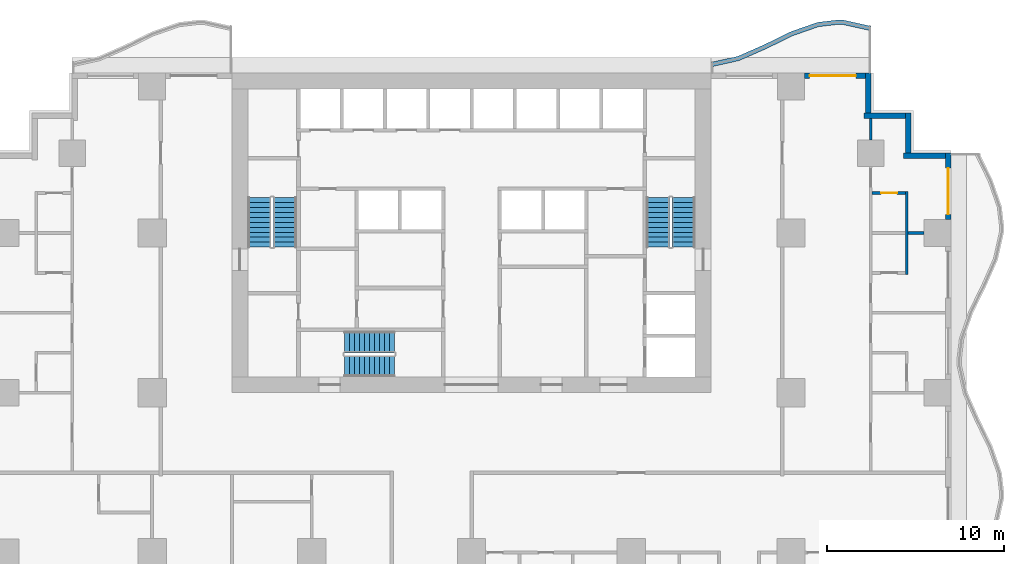
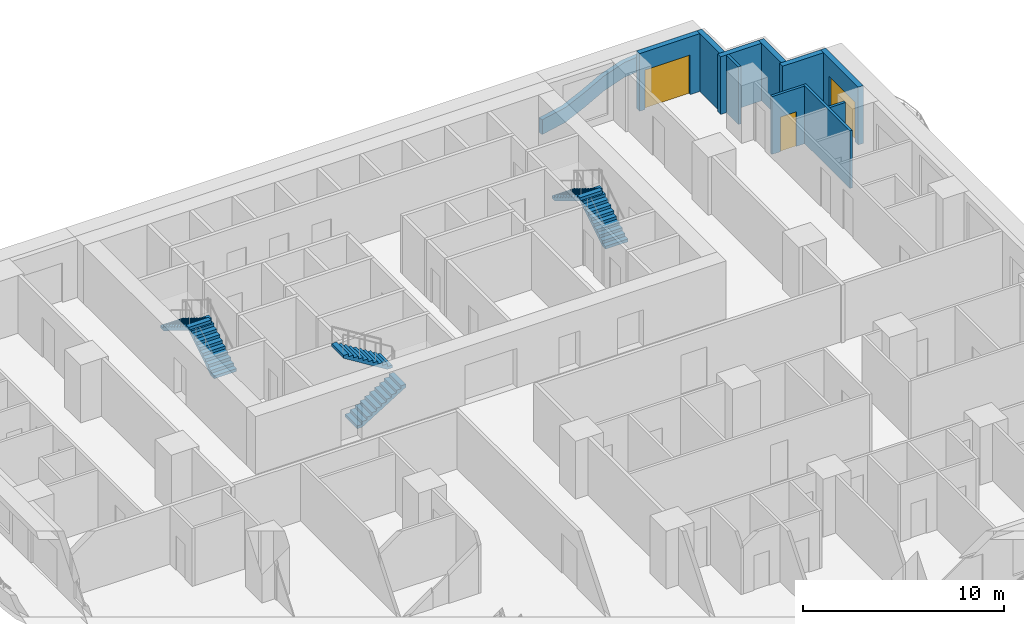
# One storey, part 7 of 14: 11 walls, 6 stair flights, 3 doors, 3 openings, 3 elements without a shape of their own.
"""IFC4 building model written with IfcOpenShell, lengths in metres."""

from ifc_helpers import new_model, si_unit, direction, frame, frame_2d, origin, place, context, subcontext, project, spatial, polyline, rectangle, outline, extrude, material, layer, layer_set, type_object, element, fill, aggregate, save


model = new_model("IFC4")

# Units and contexts
model_context = context("Model", 3, precision=1e-05, world=origin(), true_north=direction((0.0, 1.0)))
body_context = subcontext(model_context, "Body", "Model", "MODEL_VIEW")
ifc_project = project(units=[si_unit("LENGTHUNIT", "METRE"), si_unit("AREAUNIT", "SQUARE_METRE"), si_unit("VOLUMEUNIT", "CUBIC_METRE"), si_unit("PLANEANGLEUNIT", "RADIAN"), si_unit("MASSUNIT", "GRAM", prefix="KILO")], contexts=[model_context])

# Site, building, storey
site_placement = place(None, origin())
site = spatial("IfcSite", under=ifc_project, at=site_placement, CompositionType="ELEMENT")
building_placement = place(site_placement, origin())
building = spatial("IfcBuilding", under=site, at=building_placement, Name="Orbiselva Terraces", CompositionType="ELEMENT")
storey_placement = place(building_placement, frame((0.0, 0.0, 18.8)))
storey = spatial("IfcBuildingStorey", under=building, at=storey_placement, Name="L04", CompositionType="ELEMENT", Elevation=18.8)

# Wall
ifc_material_1 = material(Name="Concrete C40/50", Category="concrete")
ifc_layer_1 = layer(ifc_material_1, 0.25)
ifc_layer_set_1 = layer_set([ifc_layer_1], Name="Concrete C40/50")
wall_type_1 = type_object("IfcWallType", Name="ENV-PLANTER-250x900", PredefinedType="USERDEFINED", material=ifc_layer_set_1)
wall_1_placement = place(storey_placement, origin())
element("IfcWall", 1, at=wall_1_placement, inside=storey, type_object=wall_type_1, Name="Balcony planter L04 NE", ObjectType="PLANTER", PredefinedType="USERDEFINED", context=body_context, shape_type="SweptSolid", body=[
    extrude(outline(polyline([(22.5, 25.148528), (21.0, 25.485226), (20.625, 25.5), (19.5, 25.369208), (18.0, 24.844789), (16.5, 24.112279), (15.0, 23.451472), (13.5, 23.114774), (13.554754, 22.870844), (15.078508, 23.212874), (16.605286, 23.885477), (18.09644, 24.613667), (19.556371, 25.124078), (20.634572, 25.249429), (20.967435, 25.236315), (22.445246, 24.904598), (22.5, 25.148528)])), origin(), (0.0, 0.0, 1.0), 0.9),
])

# Wall, opening, door
ifc_material_2 = material(Name="Terracotta cladding on masonry backing", Category="masonry")
ifc_layer_2 = layer(ifc_material_2, 0.3)
ifc_layer_set_2 = layer_set([ifc_layer_2], Name="Terracotta cladding on masonry backing")
wall_type_2 = type_object("IfcWallType", Name="ENV-WALL-TERRACOTTA-300", PredefinedType="SOLIDWALL", material=ifc_layer_set_2)
wall_2_placement = place(storey_placement, frame((26.85, 18.0, 0.0), z_axis=(0.0, 0.0, 1.0), x_axis=(0.0, -1.0, 0.0)))
wall_2 = element("IfcWall", 2, at=wall_2_placement, inside=storey, type_object=wall_type_2, Name="Facade wall L04 E", PredefinedType="SOLIDWALL", context=body_context, shape_type="SweptSolid", body=[
    extrude(rectangle(XDim=3.75, YDim=0.3, at=frame_2d((1.875, 0.0))), origin(), (0.0, 0.0, 1.0), 3.5),
])
opening_1_placement = place(wall_2_placement, frame((0.85, 0.0, 0.0)))
opening_1 = element("IfcOpeningElement", 3, at=opening_1_placement, cuts=wall_2, Name="Opening Z1-A-E06", PredefinedType="OPENING", context=body_context, shape_type="SweptSolid", body=[
    extrude(rectangle(XDim=2.6, YDim=2.4, at=frame_2d((1.3, 1.2))), frame((0.0, 0.16, 0.0), z_axis=(0.0, -1.0, 0.0), x_axis=(1.0, 0.0, 0.0)), (0.0, 0.0, 1.0), 0.32),
])
ifc_material_3 = material(Name="Clear low-e glazing in aluminium frame", Category="aluminium")
door_type_1 = type_object("IfcDoorType", Name="BALCONY DOOR 2600 X 2400", OperationType="DOUBLE_DOOR_SLIDING", PredefinedType="DOOR", material=ifc_material_3)
door_1_placement = place(opening_1_placement, origin())
door_1 = element("IfcDoor", 4, at=door_1_placement, inside=storey, type_object=door_type_1, Name="Z1-A-E06", OperationType="SINGLE_SWING_LEFT", OverallHeight=2.4, OverallWidth=2.6, PredefinedType="DOOR", context=body_context, shape_type="SweptSolid", body=[
    extrude(rectangle(XDim=2.6, YDim=2.4, at=frame_2d((1.3, 1.2))), frame((0.0, 0.025, 0.0), z_axis=(0.0, -1.0, 0.0), x_axis=(1.0, 0.0, 0.0)), (0.0, 0.0, 1.0), 0.05),
])
fill(opening_1, door_1)

# Walls
wall_3_placement = place(storey_placement, frame((24.35, 17.85, 0.0), z_axis=(0.0, 0.0, 1.0), x_axis=(1.0, 0.0, 0.0)))
element("IfcWall", 5, at=wall_3_placement, inside=storey, type_object=wall_type_2, Name="Facade wall L04 STEP", PredefinedType="SOLIDWALL", context=body_context, shape_type="SweptSolid", body=[
    extrude(rectangle(XDim=2.35, YDim=0.3, at=frame_2d((1.175, 0.0))), origin(), (0.0, 0.0, 1.0), 3.5),
])
wall_4_placement = place(storey_placement, frame((24.6, 20.25, 0.0), z_axis=(0.0, 0.0, 1.0), x_axis=(0.0, -1.0, 0.0)))
element("IfcWall", 6, at=wall_4_placement, inside=storey, type_object=wall_type_2, Name="Facade wall L04 STEP", PredefinedType="SOLIDWALL", context=body_context, shape_type="SweptSolid", body=[
    extrude(rectangle(XDim=2.25, YDim=0.3, at=frame_2d((1.125, 0.0))), origin(), (0.0, 0.0, 1.0), 3.5),
])
wall_5_placement = place(storey_placement, frame((22.1, 20.1, 0.0), z_axis=(0.0, 0.0, 1.0), x_axis=(1.0, 0.0, 0.0)))
element("IfcWall", 7, at=wall_5_placement, inside=storey, type_object=wall_type_2, Name="Facade wall L04 STEP", PredefinedType="SOLIDWALL", context=body_context, shape_type="SweptSolid", body=[
    extrude(rectangle(XDim=2.35, YDim=0.3, at=frame_2d((1.175, 0.0))), origin(), (0.0, 0.0, 1.0), 3.5),
])
wall_6_placement = place(storey_placement, frame((22.35, 22.5, 0.0), z_axis=(0.0, 0.0, 1.0), x_axis=(0.0, -1.0, 0.0)))
element("IfcWall", 8, at=wall_6_placement, inside=storey, type_object=wall_type_2, Name="Facade wall L04 STEP", PredefinedType="SOLIDWALL", context=body_context, shape_type="SweptSolid", body=[
    extrude(rectangle(XDim=2.25, YDim=0.3, at=frame_2d((1.125, 0.0))), origin(), (0.0, 0.0, 1.0), 3.5),
])

# Wall, opening, door
wall_7_placement = place(storey_placement, frame((18.75, 22.35, 0.0), z_axis=(0.0, 0.0, 1.0), x_axis=(1.0, 0.0, 0.0)))
wall_7 = element("IfcWall", 9, at=wall_7_placement, inside=storey, type_object=wall_type_2, Name="Facade wall L04 NE", PredefinedType="SOLIDWALL", context=body_context, shape_type="SweptSolid", body=[
    extrude(rectangle(XDim=3.45, YDim=0.3, at=frame_2d((1.725, 0.0))), origin(), (0.0, 0.0, 1.0), 3.5),
])
opening_2_placement = place(wall_7_placement, frame((0.3, 0.0, 0.0)))
opening_2 = element("IfcOpeningElement", 10, at=opening_2_placement, cuts=wall_7, Name="Opening Z1-A-E07", PredefinedType="OPENING", context=body_context, shape_type="SweptSolid", body=[
    extrude(rectangle(XDim=2.6, YDim=2.4, at=frame_2d((1.3, 1.2))), frame((0.0, 0.16, 0.0), z_axis=(0.0, -1.0, 0.0), x_axis=(1.0, 0.0, 0.0)), (0.0, 0.0, 1.0), 0.32),
])
door_2_placement = place(opening_2_placement, origin())
door_2 = element("IfcDoor", 11, at=door_2_placement, inside=storey, type_object=door_type_1, Name="Z1-A-E07", OperationType="SINGLE_SWING_LEFT", OverallHeight=2.4, OverallWidth=2.6, PredefinedType="DOOR", context=body_context, shape_type="SweptSolid", body=[
    extrude(rectangle(XDim=2.6, YDim=2.4, at=frame_2d((1.3, 1.2))), frame((0.0, 0.025, 0.0), z_axis=(0.0, -1.0, 0.0), x_axis=(1.0, 0.0, 0.0)), (0.0, 0.0, 1.0), 0.05),
])
fill(opening_2, door_2)

# Wall
ifc_material_4 = material(Name="Plasterboard on steel stud partition", Category="steel")
ifc_layer_3 = layer(ifc_material_4, 0.15)
ifc_layer_set_3 = layer_set([ifc_layer_3], Name="Plasterboard on steel stud partition")
wall_type_3 = type_object("IfcWallType", Name="UNIT-PARTITION-150", PredefinedType="PARTITIONING", material=ifc_layer_set_3)
wall_8_placement = place(storey_placement, frame((24.6, 13.5, 0.0), z_axis=(0.0, 0.0, 1.0), x_axis=(1.0, 0.0, 0.0)))
element("IfcWall", 12, at=wall_8_placement, inside=storey, type_object=wall_type_3, Name="PARTITION L04-044", PredefinedType="PARTITIONING", context=body_context, shape_type="SweptSolid", body=[
    extrude(rectangle(XDim=0.9, YDim=0.15, at=frame_2d((0.45, 0.0))), origin(), (0.0, 0.0, 1.0), 3.5),
])

# Wall, opening, door
wall_9_placement = place(storey_placement, frame((24.45, 15.75, 0.0), z_axis=(0.0, 0.0, 1.0), x_axis=(-1.0, 0.0, 0.0)))
wall_9 = element("IfcWall", 13, at=wall_9_placement, inside=storey, type_object=wall_type_3, Name="PARTITION L04-046", PredefinedType="PARTITIONING", context=body_context, shape_type="SweptSolid", body=[
    extrude(rectangle(XDim=1.875, YDim=0.15, at=frame_2d((0.9375, 0.0))), origin(), (0.0, 0.0, 1.0), 3.5),
])
opening_3_placement = place(wall_9_placement, frame((0.475, 0.0, 0.0)))
opening_3 = element("IfcOpeningElement", 14, at=opening_3_placement, cuts=wall_9, Name="Opening Z1-A-16", PredefinedType="OPENING", context=body_context, shape_type="SweptSolid", body=[
    extrude(rectangle(XDim=0.9, YDim=2.1, at=frame_2d((0.45, 1.05))), frame((0.0, 0.085, 0.0), z_axis=(0.0, -1.0, 0.0), x_axis=(1.0, 0.0, 0.0)), (0.0, 0.0, 1.0), 0.17),
])
ifc_material_5 = material(Name="Painted timber door leaf", Category="wood")
door_type_2 = type_object("IfcDoorType", Name="BATH DOOR 900", OperationType="NOTDEFINED", PredefinedType="DOOR", material=ifc_material_5)
door_3_placement = place(opening_3_placement, origin())
door_3 = element("IfcDoor", 15, at=door_3_placement, inside=storey, type_object=door_type_2, Name="Z1-A-16", OperationType="SINGLE_SWING_LEFT", OverallHeight=2.1, OverallWidth=0.9, PredefinedType="DOOR", context=body_context, shape_type="SweptSolid", body=[
    extrude(rectangle(XDim=0.9, YDim=2.1, at=frame_2d((0.45, 1.05))), frame((0.0, 0.025, 0.0), z_axis=(0.0, -1.0, 0.0), x_axis=(1.0, 0.0, 0.0)), (0.0, 0.0, 1.0), 0.05),
])
fill(opening_3, door_3)

# Walls
wall_10_placement = place(storey_placement, frame((22.5, 18.75, 0.0), z_axis=(0.0, 0.0, 1.0), x_axis=(0.0, 1.0, 0.0)))
element("IfcWall", 16, at=wall_10_placement, inside=storey, type_object=wall_type_3, Name="PARTITION L04-089", PredefinedType="PARTITIONING", context=body_context, shape_type="SweptSolid", body=[
    extrude(rectangle(XDim=1.2, YDim=0.15, at=frame_2d((0.6, 0.0))), origin(), (0.0, 0.0, 1.0), 3.5),
])
wall_11_placement = place(storey_placement, frame((24.525, 11.175, 0.0), z_axis=(0.0, 0.0, 1.0), x_axis=(0.0, 1.0, 0.0)))
element("IfcWall", 17, at=wall_11_placement, inside=storey, type_object=wall_type_3, Name="PARTITION L04-091", PredefinedType="PARTITIONING", context=body_context, shape_type="SweptSolid", body=[
    extrude(rectangle(XDim=4.65, YDim=0.15, at=frame_2d((2.325, 0.0))), origin(), (0.0, 0.0, 1.0), 3.5),
])

# Stair, stair flights
stair_type_1 = type_object("IfcStairType", Name="CORE-STAIR-1200", PredefinedType="HALF_TURN_STAIR", material=ifc_material_1)
stair_1_placement = place(storey_placement, origin())
stair_1 = element("IfcStair", 18, at=stair_1_placement, inside=storey, type_object=stair_type_1, Name="L04 Exit Stair S3", PredefinedType="HALF_TURN_STAIR")
stair_flight_type_1 = type_object("IfcStairFlightType", Name="CORE-STAIR-FLIGHT-1200", PredefinedType="STRAIGHT", material=ifc_material_1)
stair_flight_1_placement = place(storey_placement, frame((-7.15, 6.0, 0.0), z_axis=(0.0, 0.0, 1.0), x_axis=(1.0, 0.0, 0.0)))
stair_flight_1 = element("IfcStairFlight", 19, at=stair_flight_1_placement, type_object=stair_flight_type_1, Name="S3 flight 1", NumberOfRisers=11, NumberOfTreads=10, PredefinedType="STRAIGHT", RiserHeight=0.172727273, TreadLength=0.28, context=body_context, shape_type="SweptSolid", body=[
    extrude(outline(polyline([(0.0, 0.0), (0.0, 0.172727), (0.28, 0.172727), (0.28, 0.345455), (0.56, 0.345455), (0.56, 0.518182), (0.84, 0.518182), (0.84, 0.690909), (1.12, 0.690909), (1.12, 0.863636), (1.4, 0.863636), (1.4, 1.036364), (1.68, 1.036364), (1.68, 1.209091), (1.96, 1.209091), (1.96, 1.381818), (2.24, 1.381818), (2.24, 1.554545), (2.52, 1.554545), (2.52, 1.727273), (2.8, 1.727273), (2.8, 1.9), (2.8, 1.551028), (0.285702, 0.0), (0.0, 0.0)])), frame((0.0, 0.6, 0.0), z_axis=(0.0, -1.0, 0.0), x_axis=(1.0, 0.0, 0.0)), (0.0, 0.0, 1.0), 1.2),
])
stair_flight_2_placement = place(storey_placement, frame((-4.35, 7.35, 1.9), z_axis=(0.0, 0.0, 1.0), x_axis=(-1.0, 0.0, 0.0)))
stair_flight_2 = element("IfcStairFlight", 20, at=stair_flight_2_placement, type_object=stair_flight_type_1, Name="S3 flight 2", NumberOfRisers=11, NumberOfTreads=10, PredefinedType="STRAIGHT", RiserHeight=0.172727273, TreadLength=0.28, context=body_context, shape_type="SweptSolid", body=[
    extrude(outline(polyline([(0.0, 0.0), (0.0, 0.172727), (0.28, 0.172727), (0.28, 0.345455), (0.56, 0.345455), (0.56, 0.518182), (0.84, 0.518182), (0.84, 0.690909), (1.12, 0.690909), (1.12, 0.863636), (1.4, 0.863636), (1.4, 1.036364), (1.68, 1.036364), (1.68, 1.209091), (1.96, 1.209091), (1.96, 1.381818), (2.24, 1.381818), (2.24, 1.554545), (2.52, 1.554545), (2.52, 1.727273), (2.8, 1.727273), (2.8, 1.9), (2.8, 1.551028), (0.285702, 0.0), (0.0, 0.0)])), frame((0.0, 0.6, 0.0), z_axis=(0.0, -1.0, 0.0), x_axis=(1.0, 0.0, 0.0)), (0.0, 0.0, 1.0), 1.2),
])
aggregate(stair_1, [stair_flight_1, stair_flight_2])

stair_type_2 = type_object("IfcStairType", Name="CORE-STAIR-1300", PredefinedType="HALF_TURN_STAIR", material=ifc_material_1)
stair_2_placement = place(storey_placement, origin())
stair_2 = element("IfcStair", 21, at=stair_2_placement, inside=storey, type_object=stair_type_2, Name="L04 Exit Stair S1", PredefinedType="HALF_TURN_STAIR")
stair_flight_type_2 = type_object("IfcStairFlightType", Name="CORE-STAIR-FLIGHT-1300", PredefinedType="STRAIGHT", material=ifc_material_1)
stair_flight_3_placement = place(storey_placement, frame((-10.5, 12.7, 0.0), z_axis=(0.0, 0.0, 1.0), x_axis=(0.0, 1.0, 0.0)))
stair_flight_3 = element("IfcStairFlight", 22, at=stair_flight_3_placement, type_object=stair_flight_type_2, Name="S1 flight 1", NumberOfRisers=11, NumberOfTreads=10, PredefinedType="STRAIGHT", RiserHeight=0.172727273, TreadLength=0.28, context=body_context, shape_type="SweptSolid", body=[
    extrude(outline(polyline([(0.0, 0.0), (0.0, 0.172727), (0.28, 0.172727), (0.28, 0.345455), (0.56, 0.345455), (0.56, 0.518182), (0.84, 0.518182), (0.84, 0.690909), (1.12, 0.690909), (1.12, 0.863636), (1.4, 0.863636), (1.4, 1.036364), (1.68, 1.036364), (1.68, 1.209091), (1.96, 1.209091), (1.96, 1.381818), (2.24, 1.381818), (2.24, 1.554545), (2.52, 1.554545), (2.52, 1.727273), (2.8, 1.727273), (2.8, 1.9), (2.8, 1.551028), (0.285702, 0.0), (0.0, 0.0)])), frame((0.0, 0.65, 0.0), z_axis=(0.0, -1.0, 0.0), x_axis=(1.0, 0.0, 0.0)), (0.0, 0.0, 1.0), 1.3),
])
stair_flight_4_placement = place(storey_placement, frame((-11.95, 15.5, 1.9), z_axis=(0.0, 0.0, 1.0), x_axis=(0.0, -1.0, 0.0)))
stair_flight_4 = element("IfcStairFlight", 23, at=stair_flight_4_placement, type_object=stair_flight_type_2, Name="S1 flight 2", NumberOfRisers=11, NumberOfTreads=10, PredefinedType="STRAIGHT", RiserHeight=0.172727273, TreadLength=0.28, context=body_context, shape_type="SweptSolid", body=[
    extrude(outline(polyline([(0.0, 0.0), (0.0, 0.172727), (0.28, 0.172727), (0.28, 0.345455), (0.56, 0.345455), (0.56, 0.518182), (0.84, 0.518182), (0.84, 0.690909), (1.12, 0.690909), (1.12, 0.863636), (1.4, 0.863636), (1.4, 1.036364), (1.68, 1.036364), (1.68, 1.209091), (1.96, 1.209091), (1.96, 1.381818), (2.24, 1.381818), (2.24, 1.554545), (2.52, 1.554545), (2.52, 1.727273), (2.8, 1.727273), (2.8, 1.9), (2.8, 1.551028), (0.285702, 0.0), (0.0, 0.0)])), frame((0.0, 0.65, 0.0), z_axis=(0.0, -1.0, 0.0), x_axis=(1.0, 0.0, 0.0)), (0.0, 0.0, 1.0), 1.3),
])
aggregate(stair_2, [stair_flight_3, stair_flight_4])

stair_3_placement = place(storey_placement, origin())
stair_3 = element("IfcStair", 24, at=stair_3_placement, inside=storey, type_object=stair_type_2, Name="L04 Exit Stair S2", PredefinedType="HALF_TURN_STAIR")
stair_flight_5_placement = place(storey_placement, frame((11.95, 12.7, 0.0), z_axis=(0.0, 0.0, 1.0), x_axis=(0.0, 1.0, 0.0)))
stair_flight_5 = element("IfcStairFlight", 25, at=stair_flight_5_placement, type_object=stair_flight_type_2, Name="S2 flight 1", NumberOfRisers=11, NumberOfTreads=10, PredefinedType="STRAIGHT", RiserHeight=0.172727273, TreadLength=0.28, context=body_context, shape_type="SweptSolid", body=[
    extrude(outline(polyline([(0.0, 0.0), (0.0, 0.172727), (0.28, 0.172727), (0.28, 0.345455), (0.56, 0.345455), (0.56, 0.518182), (0.84, 0.518182), (0.84, 0.690909), (1.12, 0.690909), (1.12, 0.863636), (1.4, 0.863636), (1.4, 1.036364), (1.68, 1.036364), (1.68, 1.209091), (1.96, 1.209091), (1.96, 1.381818), (2.24, 1.381818), (2.24, 1.554545), (2.52, 1.554545), (2.52, 1.727273), (2.8, 1.727273), (2.8, 1.9), (2.8, 1.551028), (0.285702, 0.0), (0.0, 0.0)])), frame((0.0, 0.65, 0.0), z_axis=(0.0, -1.0, 0.0), x_axis=(1.0, 0.0, 0.0)), (0.0, 0.0, 1.0), 1.3),
])
stair_flight_6_placement = place(storey_placement, frame((10.5, 15.5, 1.9), z_axis=(0.0, 0.0, 1.0), x_axis=(0.0, -1.0, 0.0)))
stair_flight_6 = element("IfcStairFlight", 26, at=stair_flight_6_placement, type_object=stair_flight_type_2, Name="S2 flight 2", NumberOfRisers=11, NumberOfTreads=10, PredefinedType="STRAIGHT", RiserHeight=0.172727273, TreadLength=0.28, context=body_context, shape_type="SweptSolid", body=[
    extrude(outline(polyline([(0.0, 0.0), (0.0, 0.172727), (0.28, 0.172727), (0.28, 0.345455), (0.56, 0.345455), (0.56, 0.518182), (0.84, 0.518182), (0.84, 0.690909), (1.12, 0.690909), (1.12, 0.863636), (1.4, 0.863636), (1.4, 1.036364), (1.68, 1.036364), (1.68, 1.209091), (1.96, 1.209091), (1.96, 1.381818), (2.24, 1.381818), (2.24, 1.554545), (2.52, 1.554545), (2.52, 1.727273), (2.8, 1.727273), (2.8, 1.9), (2.8, 1.551028), (0.285702, 0.0), (0.0, 0.0)])), frame((0.0, 0.65, 0.0), z_axis=(0.0, -1.0, 0.0), x_axis=(1.0, 0.0, 0.0)), (0.0, 0.0, 1.0), 1.3),
])
aggregate(stair_3, [stair_flight_5, stair_flight_6])

save(model, "model.ifc")
